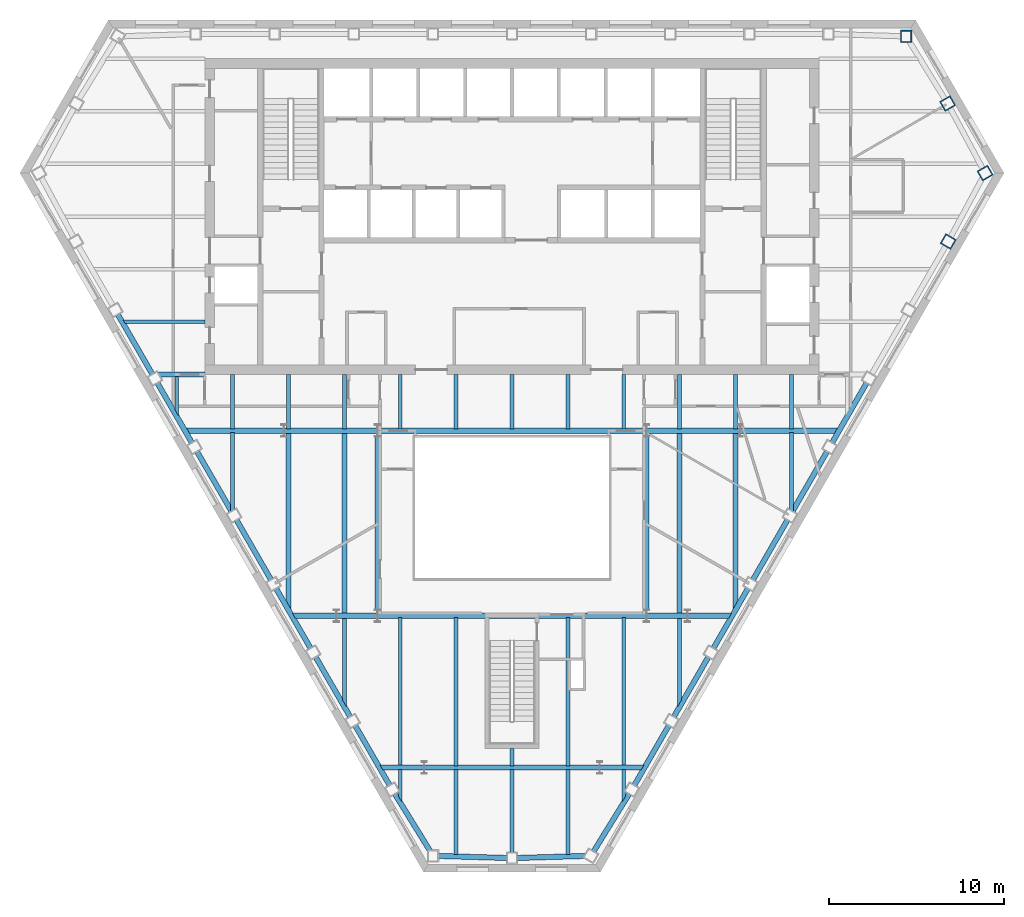
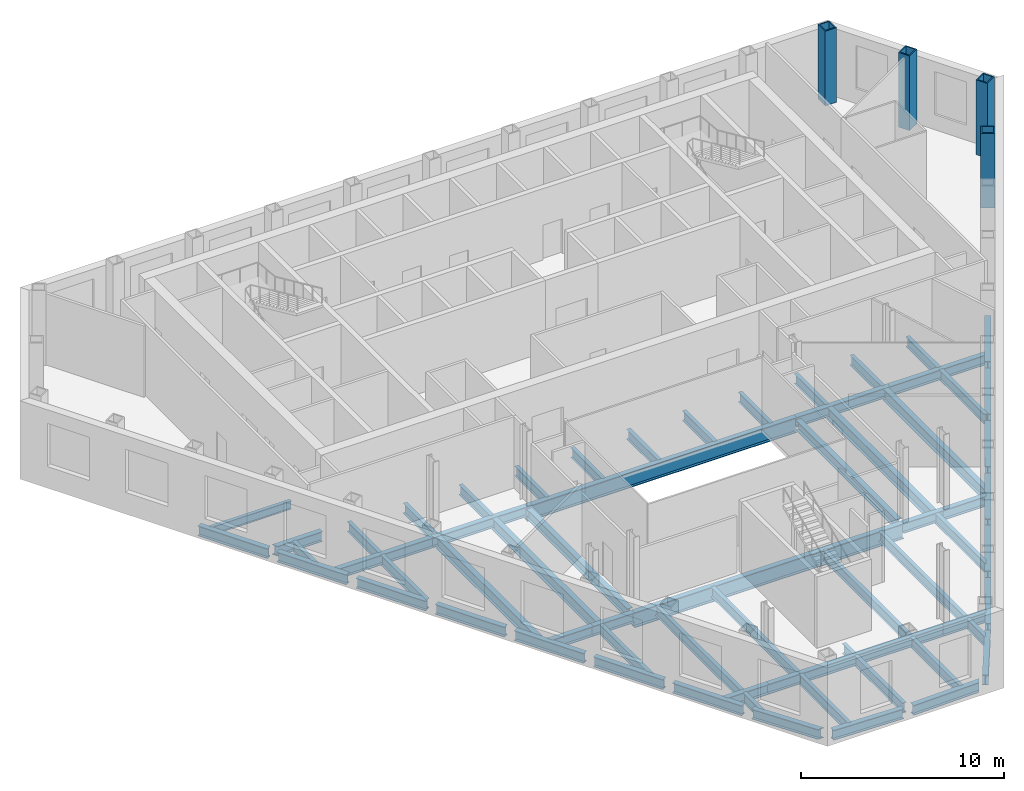
# One storey, part 2 of 11: 64 beams, 4 columns.
"""IFC4 building model written with IfcOpenShell, lengths in metres."""

from ifc_helpers import new_model, si_unit, direction, frame, origin, origin_2d, place, context, subcontext, project, spatial, hollow_rectangle, i_section, extrude, clip, halfspace, material, material_profile, profile_set, type_object, element, save


model = new_model("IFC4")

# Units and contexts
model_context = context("Model", 3, precision=1e-05, world=origin(), true_north=direction((0.0, 1.0)))
body_context = subcontext(model_context, "Body", "Model", "MODEL_VIEW")
ifc_project = project(units=[si_unit("LENGTHUNIT", "METRE"), si_unit("AREAUNIT", "SQUARE_METRE"), si_unit("VOLUMEUNIT", "CUBIC_METRE"), si_unit("PLANEANGLEUNIT", "RADIAN"), si_unit("MASSUNIT", "GRAM", prefix="KILO")], contexts=[model_context])

# Site, building, storey
site_placement = place(None, origin())
site = spatial("IfcSite", under=ifc_project, at=site_placement, CompositionType="ELEMENT")
building_placement = place(site_placement, origin())
building = spatial("IfcBuilding", under=site, at=building_placement, Name="Njiva Tower", CompositionType="ELEMENT")
storey_placement = place(building_placement, frame((0.0, 0.0, 106.8)))
storey = spatial("IfcBuildingStorey", under=building, at=storey_placement, Name="L22", CompositionType="ELEMENT", Elevation=106.8)

# Columns
ifc_material = material(Name="Steel S355 J2", Category="steel")
ifc_material_profile_1 = material_profile(ifc_material, hollow_rectangle(XDim=0.65, YDim=0.7, WallThickness=0.065, at=origin_2d()), Name="BOX 700x650x65")
ifc_profile_set_1 = profile_set([ifc_material_profile_1], Name="Steel S355 J2")
column_type = type_object("IfcColumnType", Name="C7 Perimeter tube column BOX 700x650x65", PredefinedType="COLUMN", material=ifc_profile_set_1)
for number, where, z_axis, x_axis, name in (
    (1, (22.461, 19.267, 0.0), (0.0, 0.0, 1.0), (-1.0, 0.0, 0.0), "Perimeter tube column S07-C01"),
    (2, (24.857, 7.575, 0.0), (0.0, 0.0, 1.0), (0.5, 0.866025403784, 0.0), "Perimeter tube column S07-C34"),
    (3, (26.958, 11.479, 0.0), (0.0, 0.0, 1.0), (-0.5, 0.866025403784, 0.0), "Perimeter tube column S07-C35"),
    (4, (24.825, 15.44, 0.0), (0.0, 0.0, 1.0), (-0.5, 0.866025403784, 0.0), "Perimeter tube column S07-C36"),
):
    element("IfcColumn", number, at=place(storey_placement, frame(where, z_axis=z_axis, x_axis=x_axis)), inside=storey, type_object=column_type, Name=name, PredefinedType="COLUMN", context=body_context, shape_type="SweptSolid", body=[
        extrude(hollow_rectangle(XDim=0.65, YDim=0.7, WallThickness=0.065, at=origin_2d()), origin(), (0.0, 0.0, 1.0), 4.5),
    ])

# Beams
ifc_material_profile_2 = material_profile(ifc_material, i_section(OverallWidth=0.3, OverallDepth=0.69, WebThickness=0.0145, FlangeThickness=0.027, at=origin_2d()), Name="HEA 700")
ifc_profile_set_2 = profile_set([ifc_material_profile_2], Name="Steel S355 J2")
beam_type_1 = type_object("IfcBeamType", Name="B12 Long-span floor joist HEA 700", PredefinedType="JOIST", material=ifc_profile_set_2)
beam_1_placement = place(storey_placement, frame((-12.733, -3.3, -0.545), z_axis=(0.0, -1.0, 0.0), x_axis=(1.0, 0.0, 0.0)))
element("IfcBeam", 5, at=beam_1_placement, inside=storey, type_object=beam_type_1, Name="Long-span floor joist S07-B063", PredefinedType="JOIST", context=body_context, shape_type="Clipping", body=[
    clip(extrude(i_section(OverallWidth=0.3, OverallDepth=0.69, WebThickness=0.0145, FlangeThickness=0.027, at=origin_2d()), origin(), (0.0, 0.0, 1.0), 10.135), halfspace(frame((-0.0436, 0.0, 9.8491), z_axis=(-0.866026552831, 0.0, 0.499998009787), x_axis=(0.0, 1.0, 0.0)), False)),
])
for number, where, z_axis, x_axis, name in (
    (6, (-9.55, -3.3, -0.545), (0.0, -1.0, 0.0), (1.0, 0.0, 0.0), "Long-span floor joist S07-B066"),
    (7, (9.55, -3.3, -0.545), (0.0, -1.0, 0.0), (1.0, 0.0, 0.0), "Long-span floor joist S07-B085"),
):
    element("IfcBeam", number, at=place(storey_placement, frame(where, z_axis=z_axis, x_axis=x_axis)), inside=storey, type_object=beam_type_1, Name=name, PredefinedType="JOIST", context=body_context, shape_type="SweptSolid", body=[
        extrude(i_section(OverallWidth=0.3, OverallDepth=0.69, WebThickness=0.0145, FlangeThickness=0.027, at=origin_2d()), origin(), (0.0, 0.0, 1.0), 10.35),
    ])
beam_2_placement = place(storey_placement, frame((12.733, -3.3, -0.545), z_axis=(0.0, -1.0, 0.0), x_axis=(1.0, 0.0, 0.0)))
element("IfcBeam", 8, at=beam_2_placement, inside=storey, type_object=beam_type_1, Name="Long-span floor joist S07-B087", PredefinedType="JOIST", context=body_context, shape_type="Clipping", body=[
    clip(extrude(i_section(OverallWidth=0.3, OverallDepth=0.69, WebThickness=0.0145, FlangeThickness=0.027, at=origin_2d()), origin(), (0.0, 0.0, 1.0), 10.135), halfspace(frame((0.0436, 0.0, 9.8491), z_axis=(0.866026552831, 0.0, 0.499998009787), x_axis=(0.0, 1.0, 0.0)), False)),
])
ifc_material_profile_3 = material_profile(ifc_material, i_section(OverallWidth=0.22, OverallDepth=0.6, WebThickness=0.012, FlangeThickness=0.019, at=origin_2d()), Name="IPE 600")
ifc_profile_set_3 = profile_set([ifc_material_profile_3], Name="Steel S355 J2")
beam_type_2 = type_object("IfcBeamType", Name="B13 Floor joist IPE 600", PredefinedType="JOIST", material=ifc_profile_set_3)
beam_3_placement = place(storey_placement, frame((-9.55, -13.85, -0.5), z_axis=(0.0, -1.0, 0.0), x_axis=(1.0, 0.0, 0.0)))
element("IfcBeam", 9, at=beam_3_placement, inside=storey, type_object=beam_type_2, Name="Floor joist S07-B065", PredefinedType="JOIST", context=body_context, shape_type="Clipping", body=[
    clip(extrude(i_section(OverallWidth=0.22, OverallDepth=0.6, WebThickness=0.012, FlangeThickness=0.019, at=origin_2d()), origin(), (0.0, 0.0, 1.0), 5.099), halfspace(frame((-0.0433, 0.0, 4.8128), z_axis=(-0.866026552831, 0.0, 0.499998009787), x_axis=(0.0, 1.0, 0.0)), False)),
])
for number, where, z_axis, x_axis, name in (
    (10, (-6.367, -13.851, -0.5), (0.0, -1.0, 0.0), (1.0, 0.0, 0.0), "Floor joist S07-B069"),
    (11, (-3.183, -13.851, -0.5), (0.0, -1.0, 0.0), (1.0, 0.0, 0.0), "Floor joist S07-B072"),
):
    element("IfcBeam", number, at=place(storey_placement, frame(where, z_axis=z_axis, x_axis=x_axis)), inside=storey, type_object=beam_type_2, Name=name, PredefinedType="JOIST", context=body_context, shape_type="SweptSolid", body=[
        extrude(i_section(OverallWidth=0.22, OverallDepth=0.6, WebThickness=0.012, FlangeThickness=0.019, at=origin_2d()), origin(), (0.0, 0.0, 1.0), 8.449),
    ])
beam_4_placement = place(storey_placement, frame((-3.183, -22.5, -0.5), z_axis=(0.0, -1.0, 0.0), x_axis=(1.0, 0.0, 0.0)))
element("IfcBeam", 12, at=beam_4_placement, inside=storey, type_object=beam_type_2, Name="Floor joist S07-B071", PredefinedType="JOIST", context=body_context, shape_type="SweptSolid", body=[
    extrude(i_section(OverallWidth=0.22, OverallDepth=0.6, WebThickness=0.012, FlangeThickness=0.019, at=origin_2d()), origin(), (0.0, 0.0, 1.0), 4.861),
])
beam_5_placement = place(storey_placement, frame((0.0, -22.5, -0.5), z_axis=(0.0, -1.0, 0.0), x_axis=(1.0, 0.0, 0.0)))
element("IfcBeam", 13, at=beam_5_placement, inside=storey, type_object=beam_type_2, Name="Floor joist S07-B075", PredefinedType="JOIST", context=body_context, shape_type="SweptSolid", body=[
    extrude(i_section(OverallWidth=0.22, OverallDepth=0.6, WebThickness=0.012, FlangeThickness=0.019, at=origin_2d()), origin(), (0.0, 0.0, 1.0), 4.758),
])
beam_6_placement = place(storey_placement, frame((3.183, -13.851, -0.5), z_axis=(0.0, -1.0, 0.0), x_axis=(1.0, 0.0, 0.0)))
element("IfcBeam", 14, at=beam_6_placement, inside=storey, type_object=beam_type_2, Name="Floor joist S07-B079", PredefinedType="JOIST", context=body_context, shape_type="SweptSolid", body=[
    extrude(i_section(OverallWidth=0.22, OverallDepth=0.6, WebThickness=0.012, FlangeThickness=0.019, at=origin_2d()), origin(), (0.0, 0.0, 1.0), 8.449),
])
beam_7_placement = place(storey_placement, frame((3.183, -22.5, -0.5), z_axis=(0.0, -1.0, 0.0), x_axis=(1.0, 0.0, 0.0)))
element("IfcBeam", 15, at=beam_7_placement, inside=storey, type_object=beam_type_2, Name="Floor joist S07-B078", PredefinedType="JOIST", context=body_context, shape_type="SweptSolid", body=[
    extrude(i_section(OverallWidth=0.22, OverallDepth=0.6, WebThickness=0.012, FlangeThickness=0.019, at=origin_2d()), origin(), (0.0, 0.0, 1.0), 4.861),
])
beam_8_placement = place(storey_placement, frame((6.367, -13.851, -0.5), z_axis=(0.0, -1.0, 0.0), x_axis=(1.0, 0.0, 0.0)))
element("IfcBeam", 16, at=beam_8_placement, inside=storey, type_object=beam_type_2, Name="Floor joist S07-B082", PredefinedType="JOIST", context=body_context, shape_type="SweptSolid", body=[
    extrude(i_section(OverallWidth=0.22, OverallDepth=0.6, WebThickness=0.012, FlangeThickness=0.019, at=origin_2d()), origin(), (0.0, 0.0, 1.0), 8.449),
])
beam_9_placement = place(storey_placement, frame((9.55, -13.85, -0.5), z_axis=(0.0, -1.0, 0.0), x_axis=(1.0, 0.0, 0.0)))
element("IfcBeam", 17, at=beam_9_placement, inside=storey, type_object=beam_type_2, Name="Floor joist S07-B084", PredefinedType="JOIST", context=body_context, shape_type="Clipping", body=[
    clip(extrude(i_section(OverallWidth=0.22, OverallDepth=0.6, WebThickness=0.012, FlangeThickness=0.019, at=origin_2d()), origin(), (0.0, 0.0, 1.0), 5.099), halfspace(frame((0.0433, 0.0, 4.8128), z_axis=(0.866026552831, 0.0, 0.499998009787), x_axis=(0.0, 1.0, 0.0)), False)),
])
ifc_material_profile_4 = material_profile(ifc_material, i_section(OverallWidth=0.22, OverallDepth=0.6, WebThickness=0.012, FlangeThickness=0.019, at=origin_2d()), Name="IPE 600")
ifc_profile_set_4 = profile_set([ifc_material_profile_4], Name="Steel S355 J2")
beam_type_3 = type_object("IfcBeamType", Name="B14 Short-span floor joist IPE 600", PredefinedType="JOIST", material=ifc_profile_set_4)
beam_10_placement = place(storey_placement, frame((-19.1, -0.1, -0.5), z_axis=(0.0, -1.0, 0.0), x_axis=(1.0, 0.0, 0.0)))
element("IfcBeam", 18, at=beam_10_placement, inside=storey, type_object=beam_type_3, Name="Short-span floor joist S07-B059", PredefinedType="JOIST", context=body_context, shape_type="Clipping", body=[
    clip(extrude(i_section(OverallWidth=0.22, OverallDepth=0.6, WebThickness=0.012, FlangeThickness=0.019, at=origin_2d()), origin(), (0.0, 0.0, 1.0), 2.308), halfspace(frame((-0.0433, 0.0, 2.0217), z_axis=(-0.866026552831, 0.0, 0.499998009787), x_axis=(0.0, 1.0, 0.0)), False)),
])
beam_11_placement = place(storey_placement, frame((-15.917, -0.005, -0.5), z_axis=(0.0, -1.0, 0.0), x_axis=(1.0, 0.0, 0.0)))
element("IfcBeam", 19, at=beam_11_placement, inside=storey, type_object=beam_type_3, Name="Short-span floor joist S07-B062", PredefinedType="JOIST", context=body_context, shape_type="SweptSolid", body=[
    extrude(i_section(OverallWidth=0.22, OverallDepth=0.6, WebThickness=0.012, FlangeThickness=0.019, at=origin_2d()), origin(), (0.0, 0.0, 1.0), 3.095),
])
beam_12_placement = place(storey_placement, frame((-15.917, -3.3, -0.5), z_axis=(0.0, -1.0, 0.0), x_axis=(1.0, 0.0, 0.0)))
element("IfcBeam", 20, at=beam_12_placement, inside=storey, type_object=beam_type_3, Name="Short-span floor joist S07-B060", PredefinedType="JOIST", context=body_context, shape_type="Clipping", body=[
    clip(extrude(i_section(OverallWidth=0.22, OverallDepth=0.6, WebThickness=0.012, FlangeThickness=0.019, at=origin_2d()), origin(), (0.0, 0.0, 1.0), 4.549), halfspace(frame((0.0253, 0.0, 4.4501), z_axis=(0.499998009787, 0.0, 0.866026552831), x_axis=(0.0, 1.0, 0.0)), False)),
])
for number, where, z_axis, x_axis, name in (
    (21, (-12.733, -0.005, -0.5), (0.0, -1.0, 0.0), (1.0, 0.0, 0.0), "Short-span floor joist S07-B064"),
    (22, (-9.55, -0.005, -0.5), (0.0, -1.0, 0.0), (1.0, 0.0, 0.0), "Short-span floor joist S07-B067"),
):
    element("IfcBeam", number, at=place(storey_placement, frame(where, z_axis=z_axis, x_axis=x_axis)), inside=storey, type_object=beam_type_3, Name=name, PredefinedType="JOIST", context=body_context, shape_type="SweptSolid", body=[
        extrude(i_section(OverallWidth=0.22, OverallDepth=0.6, WebThickness=0.012, FlangeThickness=0.019, at=origin_2d()), origin(), (0.0, 0.0, 1.0), 3.095),
    ])
beam_13_placement = place(storey_placement, frame((-6.367, -0.005, -0.5), z_axis=(0.0, -1.0, 0.0), x_axis=(1.0, 0.0, 0.0)))
element("IfcBeam", 23, at=beam_13_placement, inside=storey, type_object=beam_type_3, Name="Short-span floor joist S07-B070", PredefinedType="JOIST", context=body_context, shape_type="SweptSolid", body=[
    extrude(i_section(OverallWidth=0.22, OverallDepth=0.6, WebThickness=0.012, FlangeThickness=0.019, at=origin_2d()), origin(), (0.0, 0.0, 1.0), 3.094),
])
beam_14_placement = place(storey_placement, frame((-6.367, -22.5, -0.5), z_axis=(0.0, -1.0, 0.0), x_axis=(1.0, 0.0, 0.0)))
element("IfcBeam", 24, at=beam_14_placement, inside=storey, type_object=beam_type_3, Name="Short-span floor joist S07-B068", PredefinedType="JOIST", context=body_context, shape_type="Clipping", body=[
    clip(extrude(i_section(OverallWidth=0.22, OverallDepth=0.6, WebThickness=0.012, FlangeThickness=0.019, at=origin_2d()), origin(), (0.0, 0.0, 1.0), 1.907), halfspace(frame((-0.0422, 0.0, 1.64), z_axis=(-0.850620428373, 0.0, 0.525780264783), x_axis=(0.0, 1.0, 0.0)), False)),
])
for number, where, z_axis, x_axis, name in (
    (25, (-3.183, -0.005, -0.5), (0.0, -1.0, 0.0), (1.0, 0.0, 0.0), "Short-span floor joist S07-B073"),
    (26, (0.0, -0.005, -0.5), (0.0, -1.0, 0.0), (1.0, 0.0, 0.0), "Short-span floor joist S07-B077"),
):
    element("IfcBeam", number, at=place(storey_placement, frame(where, z_axis=z_axis, x_axis=x_axis)), inside=storey, type_object=beam_type_3, Name=name, PredefinedType="JOIST", context=body_context, shape_type="SweptSolid", body=[
        extrude(i_section(OverallWidth=0.22, OverallDepth=0.6, WebThickness=0.012, FlangeThickness=0.019, at=origin_2d()), origin(), (0.0, 0.0, 1.0), 3.094),
    ])
beam_15_placement = place(storey_placement, frame((0.0, -21.3, -0.5), z_axis=(0.0, -1.0, 0.0), x_axis=(1.0, 0.0, 0.0)))
element("IfcBeam", 27, at=beam_15_placement, inside=storey, type_object=beam_type_3, Name="Short-span floor joist S07-B076", PredefinedType="JOIST", context=body_context, shape_type="SweptSolid", body=[
    extrude(i_section(OverallWidth=0.22, OverallDepth=0.6, WebThickness=0.012, FlangeThickness=0.019, at=origin_2d()), origin(), (0.0, 0.0, 1.0), 1.0),
])
for number, where, z_axis, x_axis, name in (
    (28, (3.183, -0.005, -0.5), (0.0, -1.0, 0.0), (1.0, 0.0, 0.0), "Short-span floor joist S07-B080"),
    (29, (6.367, -0.005, -0.5), (0.0, -1.0, 0.0), (1.0, 0.0, 0.0), "Short-span floor joist S07-B083"),
):
    element("IfcBeam", number, at=place(storey_placement, frame(where, z_axis=z_axis, x_axis=x_axis)), inside=storey, type_object=beam_type_3, Name=name, PredefinedType="JOIST", context=body_context, shape_type="SweptSolid", body=[
        extrude(i_section(OverallWidth=0.22, OverallDepth=0.6, WebThickness=0.012, FlangeThickness=0.019, at=origin_2d()), origin(), (0.0, 0.0, 1.0), 3.094),
    ])
beam_16_placement = place(storey_placement, frame((6.367, -22.5, -0.5), z_axis=(0.0, -1.0, 0.0), x_axis=(1.0, 0.0, 0.0)))
element("IfcBeam", 30, at=beam_16_placement, inside=storey, type_object=beam_type_3, Name="Short-span floor joist S07-B081", PredefinedType="JOIST", context=body_context, shape_type="Clipping", body=[
    clip(extrude(i_section(OverallWidth=0.22, OverallDepth=0.6, WebThickness=0.012, FlangeThickness=0.019, at=origin_2d()), origin(), (0.0, 0.0, 1.0), 1.907), halfspace(frame((0.0422, 0.0, 1.64), z_axis=(0.850620428373, 0.0, 0.525780264783), x_axis=(0.0, 1.0, 0.0)), False)),
])
for number, where, z_axis, x_axis, name in (
    (31, (9.55, -0.005, -0.5), (0.0, -1.0, 0.0), (1.0, 0.0, 0.0), "Short-span floor joist S07-B086"),
    (32, (12.733, -0.005, -0.5), (0.0, -1.0, 0.0), (1.0, 0.0, 0.0), "Short-span floor joist S07-B088"),
    (33, (15.917, -0.005, -0.5), (0.0, -1.0, 0.0), (1.0, 0.0, 0.0), "Short-span floor joist S07-B091"),
):
    element("IfcBeam", number, at=place(storey_placement, frame(where, z_axis=z_axis, x_axis=x_axis)), inside=storey, type_object=beam_type_3, Name=name, PredefinedType="JOIST", context=body_context, shape_type="SweptSolid", body=[
        extrude(i_section(OverallWidth=0.22, OverallDepth=0.6, WebThickness=0.012, FlangeThickness=0.019, at=origin_2d()), origin(), (0.0, 0.0, 1.0), 3.095),
    ])
beam_17_placement = place(storey_placement, frame((15.917, -3.3, -0.5), z_axis=(0.0, -1.0, 0.0), x_axis=(1.0, 0.0, 0.0)))
element("IfcBeam", 34, at=beam_17_placement, inside=storey, type_object=beam_type_3, Name="Short-span floor joist S07-B089", PredefinedType="JOIST", context=body_context, shape_type="Clipping", body=[
    clip(extrude(i_section(OverallWidth=0.22, OverallDepth=0.6, WebThickness=0.012, FlangeThickness=0.019, at=origin_2d()), origin(), (0.0, 0.0, 1.0), 4.549), halfspace(frame((-0.0253, 0.0, 4.4501), z_axis=(-0.499998009787, 0.0, 0.866026552831), x_axis=(0.0, 1.0, 0.0)), False)),
])
ifc_material_profile_5 = material_profile(ifc_material, i_section(OverallWidth=0.3, OverallDepth=0.6, WebThickness=0.0155, FlangeThickness=0.03, at=origin_2d()), Name="HEB 600")
ifc_profile_set_5 = profile_set([ifc_material_profile_5], Name="Steel S355 J2")
beam_type_4 = type_object("IfcBeamType", Name="B20 Floor girder HEB 600", PredefinedType="BEAM", material=ifc_profile_set_5)
beam_18_placement = place(storey_placement, frame((-18.628, -3.2, -0.5), z_axis=(1.0, 0.0, 0.0), x_axis=(0.0, 1.0, 0.0)))
element("IfcBeam", 35, at=beam_18_placement, inside=storey, type_object=beam_type_4, Name="Floor girder S07-B017", PredefinedType="BEAM", context=body_context, shape_type="Clipping", body=[
    clip(extrude(i_section(OverallWidth=0.3, OverallDepth=0.6, WebThickness=0.0155, FlangeThickness=0.03, at=origin_2d()), origin(), (0.0, 0.0, 1.0), 5.628), halfspace(frame((-0.025, 0.0, 0.1217), z_axis=(-0.499998009787, 0.0, -0.866026552831), x_axis=(0.0, -1.0, 0.0)), False)),
])
for number, where, z_axis, x_axis, name in (
    (36, (-13.0, -3.2, -0.5), (1.0, 0.0, 0.0), (0.0, 1.0, 0.0), "Floor girder S07-B018"),
    (37, (7.67, -3.2, -0.5), (1.0, 0.0, 0.0), (0.0, 1.0, 0.0), "Floor girder S07-B025"),
):
    element("IfcBeam", number, at=place(storey_placement, frame(where, z_axis=z_axis, x_axis=x_axis)), inside=storey, type_object=beam_type_4, Name=name, PredefinedType="BEAM", context=body_context, shape_type="SweptSolid", body=[
        extrude(i_section(OverallWidth=0.3, OverallDepth=0.6, WebThickness=0.0155, FlangeThickness=0.03, at=origin_2d()), origin(), (0.0, 0.0, 1.0), 5.33),
    ])
beam_19_placement = place(storey_placement, frame((13.0, -3.2, -0.5), z_axis=(1.0, 0.0, 0.0), x_axis=(0.0, 1.0, 0.0)))
element("IfcBeam", 38, at=beam_19_placement, inside=storey, type_object=beam_type_4, Name="Floor girder S07-B027", PredefinedType="BEAM", context=body_context, shape_type="Clipping", body=[
    clip(extrude(i_section(OverallWidth=0.3, OverallDepth=0.6, WebThickness=0.0155, FlangeThickness=0.03, at=origin_2d()), origin(), (0.0, 0.0, 1.0), 5.628), halfspace(frame((-0.025, 0.0, 5.5063), z_axis=(-0.499998009787, 0.0, 0.866026552831), x_axis=(0.0, 1.0, 0.0)), False)),
])
ifc_material_profile_6 = material_profile(ifc_material, i_section(OverallWidth=0.3, OverallDepth=0.6, WebThickness=0.0155, FlangeThickness=0.03, at=origin_2d()), Name="HEB 600")
ifc_profile_set_6 = profile_set([ifc_material_profile_6], Name="Steel S355 J2")
beam_type_5 = type_object("IfcBeamType", Name="B21 Short-span floor girder HEB 600", PredefinedType="BEAM", material=ifc_profile_set_6)
beam_20_placement = place(storey_placement, frame((-12.537, -13.75, -0.5), z_axis=(1.0, 0.0, 0.0), x_axis=(0.0, 1.0, 0.0)))
element("IfcBeam", 39, at=beam_20_placement, inside=storey, type_object=beam_type_5, Name="Short-span floor girder S07-B019", PredefinedType="BEAM", context=body_context, shape_type="Clipping", body=[
    clip(extrude(i_section(OverallWidth=0.3, OverallDepth=0.6, WebThickness=0.0155, FlangeThickness=0.03, at=origin_2d()), origin(), (0.0, 0.0, 1.0), 2.537), halfspace(frame((-0.025, 0.0, 0.1217), z_axis=(-0.499998009787, 0.0, -0.866026552831), x_axis=(0.0, -1.0, 0.0)), False)),
])
for number, where, z_axis, x_axis, name in (
    (40, (-10.0, -13.75, -0.5), (1.0, 0.0, 0.0), (0.0, 1.0, 0.0), "Short-span floor girder S07-B020"),
    (41, (7.67, -13.75, -0.5), (1.0, 0.0, 0.0), (0.0, 1.0, 0.0), "Short-span floor girder S07-B024"),
):
    element("IfcBeam", number, at=place(storey_placement, frame(where, z_axis=z_axis, x_axis=x_axis)), inside=storey, type_object=beam_type_5, Name=name, PredefinedType="BEAM", context=body_context, shape_type="SweptSolid", body=[
        extrude(i_section(OverallWidth=0.3, OverallDepth=0.6, WebThickness=0.0155, FlangeThickness=0.03, at=origin_2d()), origin(), (0.0, 0.0, 1.0), 2.33),
    ])
beam_21_placement = place(storey_placement, frame((10.0, -13.75, -0.5), z_axis=(1.0, 0.0, 0.0), x_axis=(0.0, 1.0, 0.0)))
element("IfcBeam", 42, at=beam_21_placement, inside=storey, type_object=beam_type_5, Name="Short-span floor girder S07-B026", PredefinedType="BEAM", context=body_context, shape_type="Clipping", body=[
    clip(extrude(i_section(OverallWidth=0.3, OverallDepth=0.6, WebThickness=0.0155, FlangeThickness=0.03, at=origin_2d()), origin(), (0.0, 0.0, 1.0), 2.537), halfspace(frame((-0.025, 0.0, 2.4153), z_axis=(-0.499998009787, 0.0, 0.866026552831), x_axis=(0.0, 1.0, 0.0)), False)),
])
beam_22_placement = place(storey_placement, frame((-7.543, -22.4, -0.5), z_axis=(1.0, 0.0, 0.0), x_axis=(0.0, 1.0, 0.0)))
element("IfcBeam", 43, at=beam_22_placement, inside=storey, type_object=beam_type_5, Name="Short-span floor girder S07-B021", PredefinedType="BEAM", context=body_context, shape_type="Clipping", body=[
    clip(extrude(i_section(OverallWidth=0.3, OverallDepth=0.6, WebThickness=0.0155, FlangeThickness=0.03, at=origin_2d()), origin(), (0.0, 0.0, 1.0), 2.543), halfspace(frame((-0.025, 0.0, 0.1218), z_axis=(-0.499998009787, 0.0, -0.866026552831), x_axis=(0.0, -1.0, 0.0)), False)),
])
beam_23_placement = place(storey_placement, frame((5.0, -22.4, -0.5), z_axis=(1.0, 0.0, 0.0), x_axis=(0.0, 1.0, 0.0)))
element("IfcBeam", 44, at=beam_23_placement, inside=storey, type_object=beam_type_5, Name="Short-span floor girder S07-B023", PredefinedType="BEAM", context=body_context, shape_type="Clipping", body=[
    clip(extrude(i_section(OverallWidth=0.3, OverallDepth=0.6, WebThickness=0.0155, FlangeThickness=0.03, at=origin_2d()), origin(), (0.0, 0.0, 1.0), 2.543), halfspace(frame((-0.025, 0.0, 2.4212), z_axis=(-0.499998009787, 0.0, 0.866026552831), x_axis=(0.0, 1.0, 0.0)), False)),
])
beam_24_placement = place(storey_placement, frame((-20.245, 0.0, -0.5), z_axis=(1.0, 0.0, 0.0), x_axis=(0.0, 1.0, 0.0)))
element("IfcBeam", 45, at=beam_24_placement, inside=storey, type_object=beam_type_5, Name="Short-span floor girder S07-B016", PredefinedType="BEAM", context=body_context, shape_type="Clipping", body=[
    clip(extrude(i_section(OverallWidth=0.3, OverallDepth=0.6, WebThickness=0.0155, FlangeThickness=0.03, at=origin_2d()), origin(), (0.0, 0.0, 1.0), 2.745), halfspace(frame((-0.025, 0.0, 0.1219), z_axis=(-0.499998009787, 0.0, -0.866026552831), x_axis=(0.0, -1.0, 0.0)), False)),
])
ifc_material_profile_7 = material_profile(ifc_material, i_section(OverallWidth=0.3, OverallDepth=0.6, WebThickness=0.0155, FlangeThickness=0.03, at=origin_2d()), Name="HEB 600")
ifc_profile_set_7 = profile_set([ifc_material_profile_7], Name="Steel S355 J2")
beam_type_6 = type_object("IfcBeamType", Name="B22 Long-span floor girder HEB 600", PredefinedType="BEAM", material=ifc_profile_set_7)
beam_25_placement = place(storey_placement, frame((-5.0, -22.4, -0.5), z_axis=(1.0, 0.0, 0.0), x_axis=(0.0, 1.0, 0.0)))
element("IfcBeam", 46, at=beam_25_placement, inside=storey, type_object=beam_type_6, Name="Long-span floor girder S07-B022", PredefinedType="BEAM", context=body_context, shape_type="SweptSolid", body=[
    extrude(i_section(OverallWidth=0.3, OverallDepth=0.6, WebThickness=0.0155, FlangeThickness=0.03, at=origin_2d()), origin(), (0.0, 0.0, 1.0), 10.0),
])
ifc_material_profile_8 = material_profile(ifc_material, i_section(OverallWidth=0.3, OverallDepth=0.6, WebThickness=0.0155, FlangeThickness=0.03, at=origin_2d()), Name="HEB 600")
ifc_profile_set_8 = profile_set([ifc_material_profile_8], Name="Steel S355 J2")
beam_type_7 = type_object("IfcBeamType", Name="B23 Long-span atrium trimmer beam HEB 600", PredefinedType="BEAM", material=ifc_profile_set_8)
for number, where, z_axis, x_axis, name in (
    (47, (7.67, -13.442, -0.5), (0.0, 1.0, 0.0), (-1.0, 0.0, 0.0), "Long-span atrium trimmer beam S07-B098"),
    (48, (-7.67, -3.508, -0.5), (0.0, -1.0, 0.0), (1.0, 0.0, 0.0), "Long-span atrium trimmer beam S07-B095"),
):
    element("IfcBeam", number, at=place(storey_placement, frame(where, z_axis=z_axis, x_axis=x_axis)), inside=storey, type_object=beam_type_7, Name=name, PredefinedType="BEAM", context=body_context, shape_type="SweptSolid", body=[
        extrude(i_section(OverallWidth=0.3, OverallDepth=0.6, WebThickness=0.0155, FlangeThickness=0.03, at=origin_2d()), origin(), (0.0, 0.0, 1.0), 9.934),
    ])
ifc_material_profile_9 = material_profile(ifc_material, i_section(OverallWidth=0.2, OverallDepth=0.5, WebThickness=0.0102, FlangeThickness=0.016, at=origin_2d()), Name="IPE 500")
ifc_profile_set_9 = profile_set([ifc_material_profile_9], Name="Steel S355 J2")
beam_type_8 = type_object("IfcBeamType", Name="B24 Floor beam to the core IPE 500", PredefinedType="BEAM", material=ifc_profile_set_9)
beam_26_placement = place(storey_placement, frame((-22.178, 3.0, -0.45), z_axis=(1.0, 0.0, 0.0), x_axis=(0.0, 1.0, 0.0)))
element("IfcBeam", 49, at=beam_26_placement, inside=storey, type_object=beam_type_8, Name="Floor beam to the core S07-B007", PredefinedType="BEAM", context=body_context, shape_type="Clipping", body=[
    clip(extrude(i_section(OverallWidth=0.2, OverallDepth=0.5, WebThickness=0.0102, FlangeThickness=0.016, at=origin_2d()), origin(), (0.0, 0.0, 1.0), 4.678), halfspace(frame((-0.025, 0.0, 0.0921), z_axis=(-0.499998009787, 0.0, -0.866026552831), x_axis=(0.0, -1.0, 0.0)), False)),
])
ifc_material_profile_10 = material_profile(ifc_material, i_section(OverallWidth=0.3, OverallDepth=0.6, WebThickness=0.0155, FlangeThickness=0.03, at=origin_2d()), Name="HEB 600")
ifc_profile_set_10 = profile_set([ifc_material_profile_10], Name="Steel S355 J2")
beam_type_9 = type_object("IfcBeamType", Name="B3 Short-span spandrel beam HEB 600", PredefinedType="SPANDREL", material=ifc_profile_set_10)
for number, where, z_axis, x_axis, name in (
    (50, (-22.466, 3.434, -0.5), (0.499970304126, -0.866042548026, 0.0), (0.866042548026, 0.499970304126, 0.0), "Short-span spandrel beam S07-B107"),
    (51, (-20.212, -0.47, -0.5), (0.499970304126, -0.866042548026, 0.0), (0.866042548026, 0.499970304126, 0.0), "Short-span spandrel beam S07-B111"),
):
    element("IfcBeam", number, at=place(storey_placement, frame(where, z_axis=z_axis, x_axis=x_axis)), inside=storey, type_object=beam_type_9, Name=name, PredefinedType="SPANDREL", context=body_context, shape_type="SweptSolid", body=[
        extrude(i_section(OverallWidth=0.3, OverallDepth=0.6, WebThickness=0.0155, FlangeThickness=0.03, at=origin_2d()), origin(), (0.0, 0.0, 1.0), 3.9582),
    ])
beam_27_placement = place(storey_placement, frame((-17.958, -4.374, -0.5), z_axis=(0.499890179513, -0.866088799389, 0.0), x_axis=(0.866088799389, 0.499890179513, 0.0)))
element("IfcBeam", 52, at=beam_27_placement, inside=storey, type_object=beam_type_9, Name="Short-span spandrel beam S07-B113", PredefinedType="SPANDREL", context=body_context, shape_type="SweptSolid", body=[
    extrude(i_section(OverallWidth=0.3, OverallDepth=0.6, WebThickness=0.0155, FlangeThickness=0.03, at=origin_2d()), origin(), (0.0, 0.0, 1.0), 3.9569),
])
for number, where, z_axis, x_axis, name in (
    (53, (-15.705, -8.277, -0.5), (0.499970304126, -0.866042548026, 0.0), (0.866042548026, 0.499970304126, 0.0), "Short-span spandrel beam S07-B117"),
    (54, (-13.451, -12.181, -0.5), (0.499970304126, -0.866042548026, 0.0), (0.866042548026, 0.499970304126, 0.0), "Short-span spandrel beam S07-B119"),
    (55, (-11.197, -16.085, -0.5), (0.499970304126, -0.866042548026, 0.0), (0.866042548026, 0.499970304126, 0.0), "Short-span spandrel beam S07-B122"),
):
    element("IfcBeam", number, at=place(storey_placement, frame(where, z_axis=z_axis, x_axis=x_axis)), inside=storey, type_object=beam_type_9, Name=name, PredefinedType="SPANDREL", context=body_context, shape_type="SweptSolid", body=[
        extrude(i_section(OverallWidth=0.3, OverallDepth=0.6, WebThickness=0.0155, FlangeThickness=0.03, at=origin_2d()), origin(), (0.0, 0.0, 1.0), 3.9582),
    ])
beam_28_placement = place(storey_placement, frame((-8.943, -19.989, -0.5), z_axis=(0.499890179513, -0.866088799389, 0.0), x_axis=(0.866088799389, 0.499890179513, 0.0)))
element("IfcBeam", 56, at=beam_28_placement, inside=storey, type_object=beam_type_9, Name="Short-span spandrel beam S07-B124", PredefinedType="SPANDREL", context=body_context, shape_type="SweptSolid", body=[
    extrude(i_section(OverallWidth=0.3, OverallDepth=0.6, WebThickness=0.0155, FlangeThickness=0.03, at=origin_2d()), origin(), (0.0, 0.0, 1.0), 3.9569),
])
beam_29_placement = place(storey_placement, frame((-6.68, -23.891, -0.5), z_axis=(0.525593686464, -0.850735726739, 0.0), x_axis=(0.850735726739, 0.525593686464, 0.0)))
element("IfcBeam", 57, at=beam_29_placement, inside=storey, type_object=beam_type_9, Name="Short-span spandrel beam S07-B127", PredefinedType="SPANDREL", context=body_context, shape_type="Clipping", body=[
    clip(extrude(i_section(OverallWidth=0.3, OverallDepth=0.6, WebThickness=0.0155, FlangeThickness=0.03, at=origin_2d()), origin(), (0.0, 0.0, 1.0), 3.9144), halfspace(frame((-0.026, 0.0, 3.7853), z_axis=(-0.525593686464, 0.0, 0.850735726739), x_axis=(0.0, 1.0, 0.0)), False)),
])
beam_30_placement = place(storey_placement, frame((-4.217, -27.433, -0.5), z_axis=(0.99955893469, -0.029697408674, 0.0), x_axis=(0.029697408674, 0.99955893469, 0.0)))
element("IfcBeam", 58, at=beam_30_placement, inside=storey, type_object=beam_type_9, Name="Short-span spandrel beam S07-B131", PredefinedType="SPANDREL", context=body_context, shape_type="SweptSolid", body=[
    extrude(i_section(OverallWidth=0.3, OverallDepth=0.6, WebThickness=0.0155, FlangeThickness=0.03, at=origin_2d()), origin(), (0.0, 0.0, 1.0), 3.9397),
])
beam_31_placement = place(storey_placement, frame((0.279, -27.55, -0.5), z_axis=(0.999557637361, 0.02974104225, 0.0), x_axis=(-0.02974104225, 0.999557637361, 0.0)))
element("IfcBeam", 59, at=beam_31_placement, inside=storey, type_object=beam_type_9, Name="Short-span spandrel beam S07-B133", PredefinedType="SPANDREL", context=body_context, shape_type="Clipping", body=[
    clip(extrude(i_section(OverallWidth=0.3, OverallDepth=0.6, WebThickness=0.0155, FlangeThickness=0.03, at=origin_2d()), origin(), (0.0, 0.0, 1.0), 3.9797), halfspace(frame((-0.0266, 0.0, 3.8501), z_axis=(-0.525533361645, 0.0, 0.850772993106), x_axis=(0.0, 1.0, 0.0)), False)),
])
beam_32_placement = place(storey_placement, frame((4.643, -27.188, -0.5), z_axis=(0.52560823833, 0.850726736267, 0.0), x_axis=(-0.850726736267, 0.52560823833, 0.0)))
element("IfcBeam", 60, at=beam_32_placement, inside=storey, type_object=beam_type_9, Name="Short-span spandrel beam S07-B136", PredefinedType="SPANDREL", context=body_context, shape_type="SweptSolid", body=[
    extrude(i_section(OverallWidth=0.3, OverallDepth=0.6, WebThickness=0.0155, FlangeThickness=0.03, at=origin_2d()), origin(), (0.0, 0.0, 1.0), 3.8755),
])
beam_33_placement = place(storey_placement, frame((6.965, -23.416, -0.5), z_axis=(0.499890179513, 0.866088799389, 0.0), x_axis=(-0.866088799389, 0.499890179513, 0.0)))
element("IfcBeam", 61, at=beam_33_placement, inside=storey, type_object=beam_type_9, Name="Short-span spandrel beam S07-B139", PredefinedType="SPANDREL", context=body_context, shape_type="SweptSolid", body=[
    extrude(i_section(OverallWidth=0.3, OverallDepth=0.6, WebThickness=0.0155, FlangeThickness=0.03, at=origin_2d()), origin(), (0.0, 0.0, 1.0), 3.9569),
])
for number, where, z_axis, x_axis, name in (
    (62, (9.218, -19.513, -0.5), (0.499970304126, 0.866042548026, 0.0), (-0.866042548026, 0.499970304126, 0.0), "Short-span spandrel beam S07-B141"),
    (63, (11.472, -15.609, -0.5), (0.499970304126, 0.866042548026, 0.0), (-0.866042548026, 0.499970304126, 0.0), "Short-span spandrel beam S07-B144"),
    (64, (13.726, -11.705, -0.5), (0.499970304126, 0.866042548026, 0.0), (-0.866042548026, 0.499970304126, 0.0), "Short-span spandrel beam S07-B146"),
):
    element("IfcBeam", number, at=place(storey_placement, frame(where, z_axis=z_axis, x_axis=x_axis)), inside=storey, type_object=beam_type_9, Name=name, PredefinedType="SPANDREL", context=body_context, shape_type="SweptSolid", body=[
        extrude(i_section(OverallWidth=0.3, OverallDepth=0.6, WebThickness=0.0155, FlangeThickness=0.03, at=origin_2d()), origin(), (0.0, 0.0, 1.0), 3.9582),
    ])
beam_34_placement = place(storey_placement, frame((15.98, -7.801, -0.5), z_axis=(0.499890179513, 0.866088799389, 0.0), x_axis=(-0.866088799389, 0.499890179513, 0.0)))
element("IfcBeam", 65, at=beam_34_placement, inside=storey, type_object=beam_type_9, Name="Short-span spandrel beam S07-B150", PredefinedType="SPANDREL", context=body_context, shape_type="SweptSolid", body=[
    extrude(i_section(OverallWidth=0.3, OverallDepth=0.6, WebThickness=0.0155, FlangeThickness=0.03, at=origin_2d()), origin(), (0.0, 0.0, 1.0), 3.9569),
])
beam_35_placement = place(storey_placement, frame((18.233, -3.898, -0.5), z_axis=(0.499970304126, 0.866042548026, 0.0), x_axis=(-0.866042548026, 0.499970304126, 0.0)))
element("IfcBeam", 66, at=beam_35_placement, inside=storey, type_object=beam_type_9, Name="Short-span spandrel beam S07-B152", PredefinedType="SPANDREL", context=body_context, shape_type="SweptSolid", body=[
    extrude(i_section(OverallWidth=0.3, OverallDepth=0.6, WebThickness=0.0155, FlangeThickness=0.03, at=origin_2d()), origin(), (0.0, 0.0, 1.0), 3.9582),
])
ifc_material_profile_11 = material_profile(ifc_material, i_section(OverallWidth=0.302, OverallDepth=0.91, WebThickness=0.021, FlangeThickness=0.04, at=origin_2d()), Name="HEM 900")
ifc_profile_set_11 = profile_set([ifc_material_profile_11], Name="Steel S355 J2")
beam_type_10 = type_object("IfcBeamType", Name="B8 Long-span atrium trimmer beam HEM 900", PredefinedType="BEAM", material=ifc_profile_set_11)
for number, where, z_axis, x_axis, name in (
    (67, (-7.67, -13.75, -0.655), (1.0, 0.0, 0.0), (0.0, 1.0, 0.0), "Long-span atrium trimmer beam S07-B094"),
    (68, (7.67, -3.2, -0.655), (-1.0, 0.0, 0.0), (0.0, -1.0, 0.0), "Long-span atrium trimmer beam S07-B096"),
):
    element("IfcBeam", number, at=place(storey_placement, frame(where, z_axis=z_axis, x_axis=x_axis)), inside=storey, type_object=beam_type_10, Name=name, PredefinedType="BEAM", context=body_context, shape_type="SweptSolid", body=[
        extrude(i_section(OverallWidth=0.302, OverallDepth=0.91, WebThickness=0.021, FlangeThickness=0.04, at=origin_2d()), origin(), (0.0, 0.0, 1.0), 15.34),
    ])

save(model, "model.ifc")
